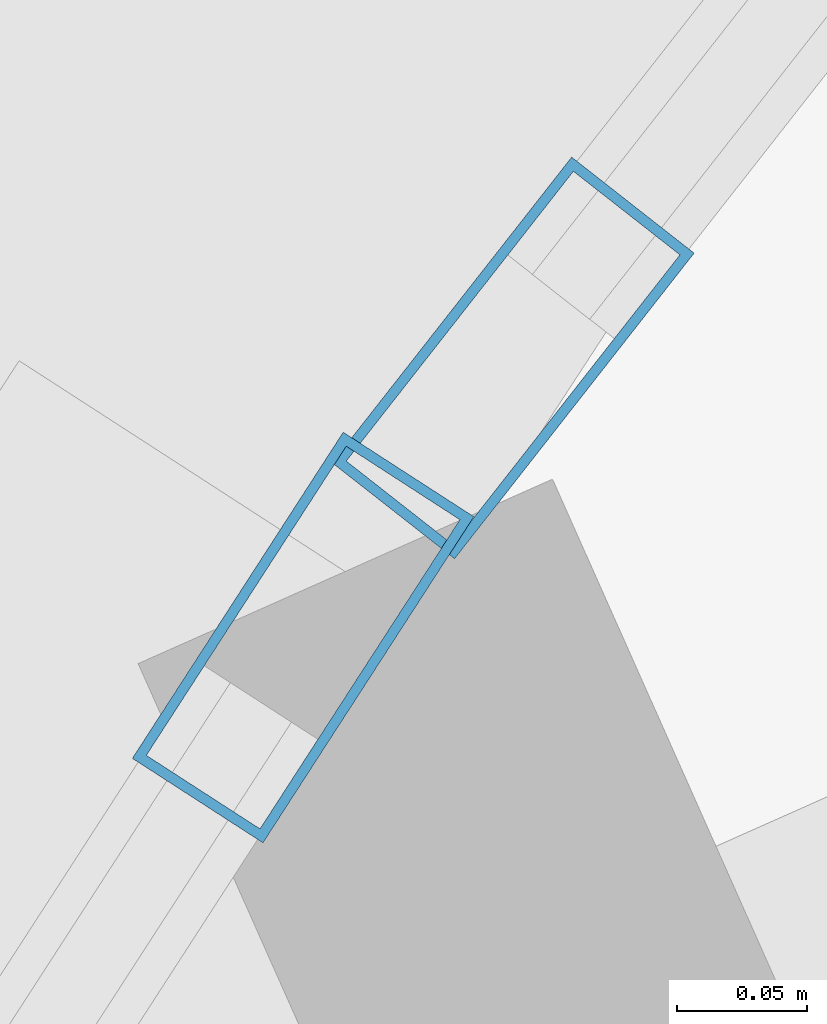
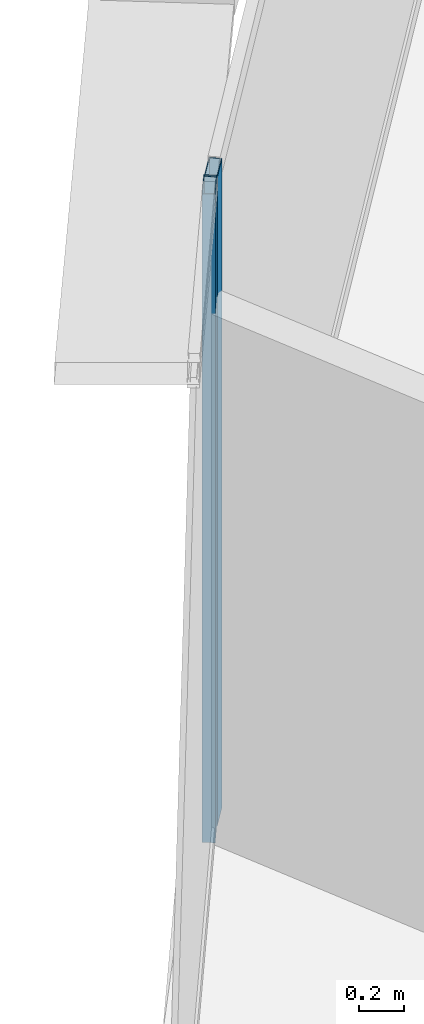
# One storey, part 18 of 37: 2 members, 2 elements without a shape of their own.
"""IFC4 building model written with IfcOpenShell, lengths in metres."""

from ifc_helpers import new_model, si_unit, direction, frame, origin, origin_2d, place, context, subcontext, project, spatial, hollow_rectangle, extrude, source, transform, mapped, material, layer, layer_set, material_profile, profile_set, type_object, element, aggregate, save


model = new_model("IFC4")

# Units and contexts
model_context = context("Model", 3, precision=1e-05, world=origin(), true_north=direction((0.0, 1.0)))
body_context = subcontext(model_context, "Body", "Model", "MODEL_VIEW")
ifc_project = project(units=[si_unit("LENGTHUNIT", "METRE"), si_unit("AREAUNIT", "SQUARE_METRE"), si_unit("VOLUMEUNIT", "CUBIC_METRE"), si_unit("PLANEANGLEUNIT", "RADIAN"), si_unit("MASSUNIT", "GRAM", prefix="KILO"), si_unit("THERMODYNAMICTEMPERATUREUNIT", "KELVIN"), si_unit("POWERUNIT", "WATT")], contexts=[model_context])

# Site, building, storey
site_placement = place(None, origin())
site = spatial("IfcSite", under=ifc_project, at=site_placement, CompositionType="ELEMENT")
building_placement = place(site_placement, origin())
building = spatial("IfcBuilding", under=site, at=building_placement, Name="Yunzhuo Pagoda Commons", CompositionType="ELEMENT")
storey_placement = place(building_placement, frame((0.0, 0.0, 199.9599609375)))
storey = spatial("IfcBuildingStorey", under=building, at=storey_placement, Name="L50", CompositionType="ELEMENT", Elevation=199.9599609375)

# Curtain wall, member
ifc_material = material(Name="Anodized aluminium 6063-T6", Category="aluminium")
ifc_layer = layer(ifc_material, 0.14990234375)
ifc_layer_set = layer_set([ifc_layer], Name="Anodized aluminium 6063-T6")
curtain_wall_type = type_object("IfcCurtainWallType", Name="CW-MID Mid-Zone Ribbon Curtain Wall", PredefinedType="NOTDEFINED", material=ifc_layer_set)
curtain_wall_1_placement = place(storey_placement, origin())
curtain_wall_1 = element("IfcCurtainWall", 1, at=curtain_wall_1_placement, inside=storey, type_object=curtain_wall_type, Name="L50 curtain wall CW-L50-F3B2", PredefinedType="NOTDEFINED")
ifc_material_profile = material_profile(ifc_material, hollow_rectangle(XDim=0.06005859375, YDim=0.14990234375, WallThickness=0.00390625, at=origin_2d()), Name="Anodized aluminium 6063-T6")
ifc_profile_set = profile_set([ifc_material_profile], Name="Anodized aluminium 6063-T6")
member_type = type_object("IfcMemberType", Name="CW-MID-M Mullion RHS 150x60x4", PredefinedType="MULLION", material=ifc_profile_set)
shared_shape = source(origin(), body_context, "Body", "SweptSolid", [
    extrude(hollow_rectangle(XDim=0.06005859375, YDim=0.14990234375, WallThickness=0.00390625, at=origin_2d()), origin(), (0.0, 0.0, 1.0), 3.5400390625),
])
member_1_placement = place(storey_placement, frame((32.418212890625, 68.635498046875, 0.0), z_axis=(0.0, 0.0, 1.0), x_axis=(0.839794048542, -0.542905107761, 0.0)))
member_1 = element("IfcMember", 2, at=member_1_placement, type_object=member_type, Name="CW mullion 1", PredefinedType="MULLION", context=body_context, shape_type="MappedRepresentation", body=[
    mapped(shared_shape, transform((0.0, 0.0, 0.0), scale=1.0)),
])
aggregate(curtain_wall_1, [member_1])

curtain_wall_2_placement = place(storey_placement, origin())
curtain_wall_2 = element("IfcCurtainWall", 3, at=curtain_wall_2_placement, inside=storey, type_object=curtain_wall_type, Name="L50 curtain wall CW-L50-F3B1", PredefinedType="NOTDEFINED")
member_2_placement = place(storey_placement, frame((32.499267578125, 68.743408203125, 0.0), z_axis=(0.0, 0.0, 1.0), x_axis=(0.787049910454, -0.616889324316, 0.0)))
member_2 = element("IfcMember", 4, at=member_2_placement, type_object=member_type, Name="CW mullion 2", PredefinedType="MULLION", context=body_context, shape_type="MappedRepresentation", body=[
    mapped(shared_shape, transform((0.0, 0.0, 0.0), scale=1.0)),
])
aggregate(curtain_wall_2, [member_2])

save(model, "model.ifc")
